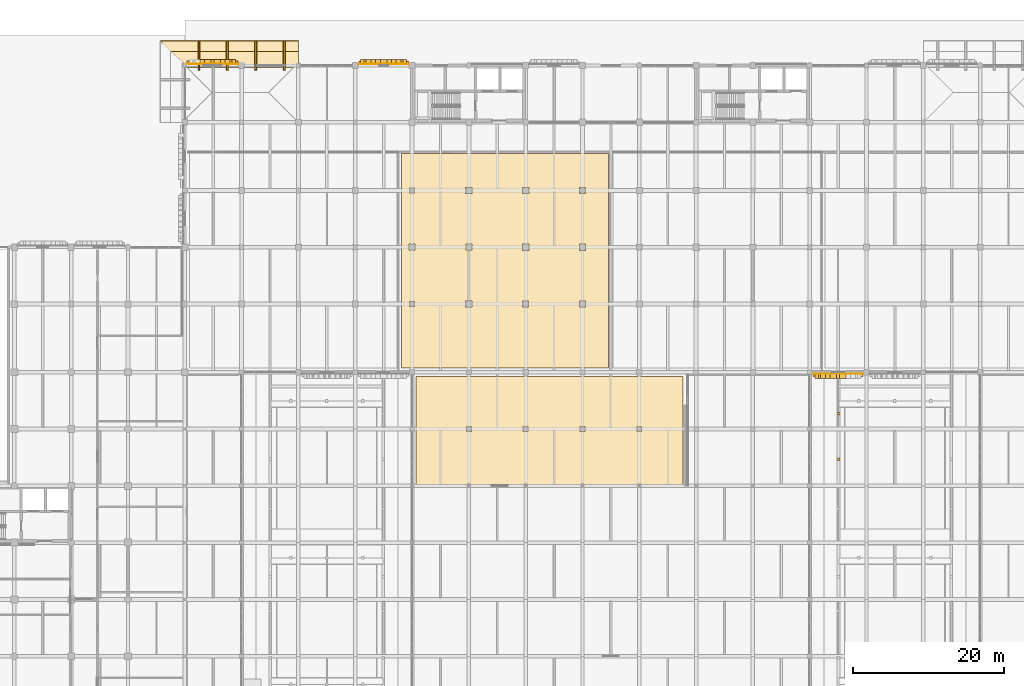
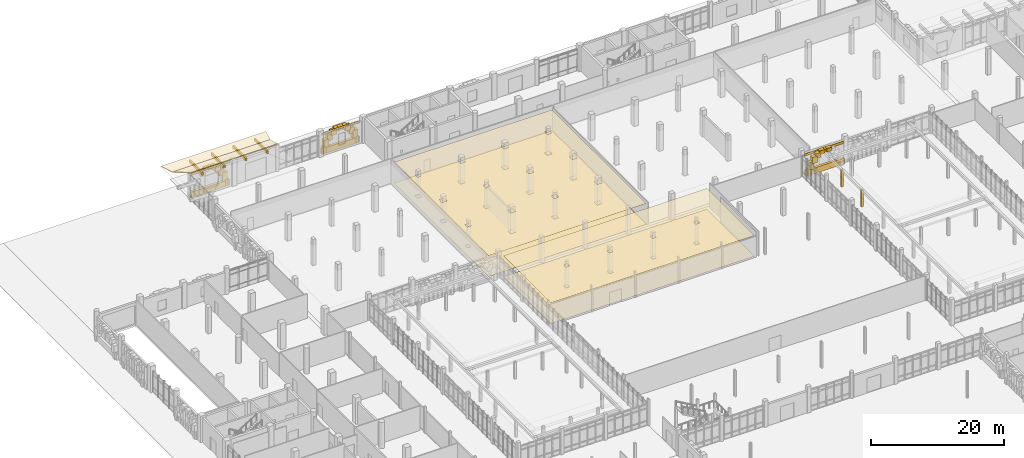
# One storey, part 113 of 125: 44 coverings.
"""IFC4 building model written with IfcOpenShell, lengths in metres."""

from ifc_helpers import new_model, si_unit, direction, frame, origin, origin_2d, place, context, subcontext, project, spatial, polyline, rectangle, outline, extrude, material, layer, layer_set, type_object, element, save


model = new_model("IFC4")

# Units and contexts
model_context = context("Model", 3, precision=1e-05, world=origin(), true_north=direction((0.0, 1.0)))
body_context = subcontext(model_context, "Body", "Model", "MODEL_VIEW")
ifc_project = project(units=[si_unit("LENGTHUNIT", "METRE"), si_unit("AREAUNIT", "SQUARE_METRE"), si_unit("VOLUMEUNIT", "CUBIC_METRE"), si_unit("PLANEANGLEUNIT", "RADIAN"), si_unit("MASSUNIT", "GRAM", prefix="KILO")], contexts=[model_context])

# Site, building, storey
site_placement = place(None, origin())
site = spatial("IfcSite", under=ifc_project, at=site_placement, CompositionType="ELEMENT")
building_placement = place(site_placement, origin())
building = spatial("IfcBuilding", under=site, at=building_placement, Name="Dalvernix Boulevard General Hospital", CompositionType="ELEMENT")
storey_placement = place(building_placement, origin())
storey = spatial("IfcBuildingStorey", under=building, at=storey_placement, Name="L00", CompositionType="ELEMENT", Elevation=0.0)

# Coverings
ifc_material_1 = material(Name="Pressed Catalan clay brick and dressed limestone parabolic archivolt", Category="masonry")
ifc_layer_1 = layer(ifc_material_1, 0.419921875)
ifc_layer_set_1 = layer_set([ifc_layer_1], Name="Pressed Catalan clay brick and dressed limestone parabolic archivolt (COV-ARC-01)")
covering_type_1 = type_object("IfcCoveringType", Name="COV-ARC-01", PredefinedType="CLADDING", material=ifc_layer_set_1)
covering_1_placement = place(storey_placement, frame((36.46240234375, 117.485107421875, 0.0), z_axis=(0.0, 0.0, 1.0), x_axis=(1.0, 0.0, 0.0)))
element("IfcCovering", 1, at=covering_1_placement, inside=storey, type_object=covering_type_1, Name="L00 Catalan parabolic arch impost pier N 4-15-R", PredefinedType="CLADDING", context=body_context, shape_type="SweptSolid", body=[
    extrude(rectangle(XDim=0.4599609375, YDim=0.659912109375, at=origin_2d()), origin(), (0.0, 0.0, 1.0), 1.25),
])
covering_2_placement = place(storey_placement, frame((32.418212890625, 117.485107421875, 3.22412109375), z_axis=(0.0, 0.0, 1.0), x_axis=(1.0, 0.0, 0.0)))
element("IfcCovering", 2, at=covering_2_placement, inside=storey, type_object=covering_type_1, Name="L00 Catalan parabolic archivolt voussoir N 4-15-3", PredefinedType="CLADDING", context=body_context, shape_type="SweptSolid", body=[
    extrude(rectangle(XDim=0.8623046875, YDim=0.659912109375, at=origin_2d()), origin(), (0.0, 0.0, 1.0), 0.998291015625),
])
covering_3_placement = place(storey_placement, frame((33.040283203125, 117.485107421875, 3.84228515625), z_axis=(0.0, 0.0, 1.0), x_axis=(1.0, 0.0, 0.0)))
element("IfcCovering", 3, at=covering_3_placement, inside=storey, type_object=covering_type_1, Name="L00 Catalan parabolic archivolt voussoir N 4-15-4", PredefinedType="CLADDING", context=body_context, shape_type="SweptSolid", body=[
    extrude(rectangle(XDim=0.8623046875, YDim=0.659912109375, at=origin_2d()), origin(), (0.0, 0.0, 1.0), 0.689208984375),
])
covering_4_placement = place(storey_placement, frame((33.66259765625, 117.485107421875, 4.1513671875), z_axis=(0.0, 0.0, 1.0), x_axis=(1.0, 0.0, 0.0)))
element("IfcCovering", 4, at=covering_4_placement, inside=storey, type_object=covering_type_1, Name="L00 Catalan parabolic archivolt voussoir N 4-15-5", PredefinedType="CLADDING", context=body_context, shape_type="SweptSolid", body=[
    extrude(rectangle(XDim=0.8623046875, YDim=0.659912109375, at=origin_2d()), origin(), (0.0, 0.0, 1.0), 0.3798828125),
])
covering_5_placement = place(storey_placement, frame((34.28466796875, 117.485107421875, 3.84228515625), z_axis=(0.0, 0.0, 1.0), x_axis=(1.0, 0.0, 0.0)))
element("IfcCovering", 5, at=covering_5_placement, inside=storey, type_object=covering_type_1, Name="L00 Catalan parabolic archivolt voussoir N 4-15-6", PredefinedType="CLADDING", context=body_context, shape_type="SweptSolid", body=[
    extrude(rectangle(XDim=0.8623046875, YDim=0.659912109375, at=origin_2d()), origin(), (0.0, 0.0, 1.0), 0.689208984375),
])
covering_6_placement = place(storey_placement, frame((34.906982421875, 117.485107421875, 3.22412109375), z_axis=(0.0, 0.0, 1.0), x_axis=(1.0, 0.0, 0.0)))
element("IfcCovering", 6, at=covering_6_placement, inside=storey, type_object=covering_type_1, Name="L00 Catalan parabolic archivolt voussoir N 4-15-7", PredefinedType="CLADDING", context=body_context, shape_type="SweptSolid", body=[
    extrude(rectangle(XDim=0.8623046875, YDim=0.659912109375, at=origin_2d()), origin(), (0.0, 0.0, 1.0), 0.998291015625),
])
covering_7_placement = place(storey_placement, frame((35.529296875, 117.485107421875, 2.29638671875), z_axis=(0.0, 0.0, 1.0), x_axis=(1.0, 0.0, 0.0)))
element("IfcCovering", 7, at=covering_7_placement, inside=storey, type_object=covering_type_1, Name="L00 Catalan parabolic archivolt voussoir N 4-15-8", PredefinedType="CLADDING", context=body_context, shape_type="SweptSolid", body=[
    extrude(rectangle(XDim=0.8623046875, YDim=0.659912109375, at=origin_2d()), origin(), (0.0, 0.0, 1.0), 1.307373046875),
])
covering_8_placement = place(storey_placement, frame((36.1513671875, 117.485107421875, 1.06005859375), z_axis=(0.0, 0.0, 1.0), x_axis=(1.0, 0.0, 0.0)))
element("IfcCovering", 8, at=covering_8_placement, inside=storey, type_object=covering_type_1, Name="L00 Catalan parabolic archivolt voussoir N 4-15-9", PredefinedType="CLADDING", context=body_context, shape_type="SweptSolid", body=[
    extrude(rectangle(XDim=0.8623046875, YDim=0.659912109375, at=origin_2d()), origin(), (0.0, 0.0, 1.0), 1.616455078125),
])
for number, where, z_axis, x_axis, name in (
    (9, (53.4375, 117.485107421875, 0.0), (0.0, 0.0, 1.0), (1.0, 0.0, 0.0), "L00 Catalan parabolic arch impost pier N 7-15-L"),
    (10, (59.03759765625, 117.485107421875, 0.0), (0.0, 0.0, 1.0), (1.0, 0.0, 0.0), "L00 Catalan parabolic arch impost pier N 7-15-R"),
):
    element("IfcCovering", number, at=place(storey_placement, frame(where, z_axis=z_axis, x_axis=x_axis)), inside=storey, type_object=covering_type_1, Name=name, PredefinedType="CLADDING", context=body_context, shape_type="SweptSolid", body=[
        extrude(rectangle(XDim=0.4599609375, YDim=0.659912109375, at=origin_2d()), origin(), (0.0, 0.0, 1.0), 1.25),
    ])
covering_9_placement = place(storey_placement, frame((53.74853515625, 117.485107421875, 1.059814453125), z_axis=(0.0, 0.0, 1.0), x_axis=(1.0, 0.0, 0.0)))
element("IfcCovering", 11, at=covering_9_placement, inside=storey, type_object=covering_type_1, Name="L00 Catalan parabolic archivolt voussoir N 7-15-1", PredefinedType="CLADDING", context=body_context, shape_type="SweptSolid", body=[
    extrude(rectangle(XDim=0.8623046875, YDim=0.659912109375, at=origin_2d()), origin(), (0.0, 0.0, 1.0), 1.3994140625),
])
covering_10_placement = place(storey_placement, frame((54.370849609375, 117.485107421875, 2.07958984375), z_axis=(0.0, 0.0, 1.0), x_axis=(1.0, 0.0, 0.0)))
element("IfcCovering", 12, at=covering_10_placement, inside=storey, type_object=covering_type_1, Name="L00 Catalan parabolic archivolt voussoir N 7-15-2", PredefinedType="CLADDING", context=body_context, shape_type="SweptSolid", body=[
    extrude(rectangle(XDim=0.8623046875, YDim=0.659912109375, at=origin_2d()), origin(), (0.0, 0.0, 1.0), 1.144287109375),
])
covering_11_placement = place(storey_placement, frame((54.9931640625, 117.485107421875, 2.84375), z_axis=(0.0, 0.0, 1.0), x_axis=(1.0, 0.0, 0.0)))
element("IfcCovering", 13, at=covering_11_placement, inside=storey, type_object=covering_type_1, Name="L00 Catalan parabolic archivolt voussoir N 7-15-3", PredefinedType="CLADDING", context=body_context, shape_type="SweptSolid", body=[
    extrude(rectangle(XDim=0.8623046875, YDim=0.659912109375, at=origin_2d()), origin(), (0.0, 0.0, 1.0), 0.8896484375),
])
covering_12_placement = place(storey_placement, frame((55.615234375, 117.485107421875, 3.353271484375), z_axis=(0.0, 0.0, 1.0), x_axis=(1.0, 0.0, 0.0)))
element("IfcCovering", 14, at=covering_12_placement, inside=storey, type_object=covering_type_1, Name="L00 Catalan parabolic archivolt voussoir N 7-15-4", PredefinedType="CLADDING", context=body_context, shape_type="SweptSolid", body=[
    extrude(rectangle(XDim=0.8623046875, YDim=0.659912109375, at=origin_2d()), origin(), (0.0, 0.0, 1.0), 0.634765625),
])
covering_13_placement = place(storey_placement, frame((56.237548828125, 117.485107421875, 3.608154296875), z_axis=(0.0, 0.0, 1.0), x_axis=(1.0, 0.0, 0.0)))
element("IfcCovering", 15, at=covering_13_placement, inside=storey, type_object=covering_type_1, Name="L00 Catalan parabolic archivolt voussoir N 7-15-5", PredefinedType="CLADDING", context=body_context, shape_type="SweptSolid", body=[
    extrude(rectangle(XDim=0.8623046875, YDim=0.659912109375, at=origin_2d()), origin(), (0.0, 0.0, 1.0), 0.3798828125),
])
covering_14_placement = place(storey_placement, frame((56.859619140625, 117.485107421875, 3.353271484375), z_axis=(0.0, 0.0, 1.0), x_axis=(1.0, 0.0, 0.0)))
element("IfcCovering", 16, at=covering_14_placement, inside=storey, type_object=covering_type_1, Name="L00 Catalan parabolic archivolt voussoir N 7-15-6", PredefinedType="CLADDING", context=body_context, shape_type="SweptSolid", body=[
    extrude(rectangle(XDim=0.8623046875, YDim=0.659912109375, at=origin_2d()), origin(), (0.0, 0.0, 1.0), 0.634765625),
])
covering_15_placement = place(storey_placement, frame((57.48193359375, 117.485107421875, 2.84375), z_axis=(0.0, 0.0, 1.0), x_axis=(1.0, 0.0, 0.0)))
element("IfcCovering", 17, at=covering_15_placement, inside=storey, type_object=covering_type_1, Name="L00 Catalan parabolic archivolt voussoir N 7-15-7", PredefinedType="CLADDING", context=body_context, shape_type="SweptSolid", body=[
    extrude(rectangle(XDim=0.8623046875, YDim=0.659912109375, at=origin_2d()), origin(), (0.0, 0.0, 1.0), 0.8896484375),
])
covering_16_placement = place(storey_placement, frame((58.104248046875, 117.485107421875, 2.07958984375), z_axis=(0.0, 0.0, 1.0), x_axis=(1.0, 0.0, 0.0)))
element("IfcCovering", 18, at=covering_16_placement, inside=storey, type_object=covering_type_1, Name="L00 Catalan parabolic archivolt voussoir N 7-15-8", PredefinedType="CLADDING", context=body_context, shape_type="SweptSolid", body=[
    extrude(rectangle(XDim=0.8623046875, YDim=0.659912109375, at=origin_2d()), origin(), (0.0, 0.0, 1.0), 1.144287109375),
])
covering_17_placement = place(storey_placement, frame((58.726318359375, 117.485107421875, 1.059814453125), z_axis=(0.0, 0.0, 1.0), x_axis=(1.0, 0.0, 0.0)))
element("IfcCovering", 19, at=covering_17_placement, inside=storey, type_object=covering_type_1, Name="L00 Catalan parabolic archivolt voussoir N 7-15-9", PredefinedType="CLADDING", context=body_context, shape_type="SweptSolid", body=[
    extrude(rectangle(XDim=0.8623046875, YDim=0.659912109375, at=origin_2d()), origin(), (0.0, 0.0, 1.0), 1.3994140625),
])
covering_18_placement = place(storey_placement, frame((113.4375, 76.014892578125, 0.0), z_axis=(0.0, 0.0, 1.0), x_axis=(-1.0, 0.0, 0.0)))
element("IfcCovering", 20, at=covering_18_placement, inside=storey, type_object=covering_type_1, Name="L00 Catalan parabolic arch impost pier S 15-10-R", PredefinedType="CLADDING", context=body_context, shape_type="SweptSolid", body=[
    extrude(rectangle(XDim=0.4599609375, YDim=0.659912109375, at=origin_2d()), origin(), (0.0, 0.0, 1.0), 1.25),
])
covering_19_placement = place(storey_placement, frame((116.859619140625, 76.014892578125, 3.353271484375), z_axis=(0.0, 0.0, 1.0), x_axis=(-1.0, 0.0, 0.0)))
element("IfcCovering", 21, at=covering_19_placement, inside=storey, type_object=covering_type_1, Name="L00 Catalan parabolic archivolt voussoir S 15-10-4", PredefinedType="CLADDING", context=body_context, shape_type="SweptSolid", body=[
    extrude(rectangle(XDim=0.8623046875, YDim=0.659912109375, at=origin_2d()), origin(), (0.0, 0.0, 1.0), 0.634765625),
])
covering_20_placement = place(storey_placement, frame((116.237548828125, 76.014892578125, 3.608154296875), z_axis=(0.0, 0.0, 1.0), x_axis=(-1.0, 0.0, 0.0)))
element("IfcCovering", 22, at=covering_20_placement, inside=storey, type_object=covering_type_1, Name="L00 Catalan parabolic archivolt voussoir S 15-10-5", PredefinedType="CLADDING", context=body_context, shape_type="SweptSolid", body=[
    extrude(rectangle(XDim=0.8623046875, YDim=0.659912109375, at=origin_2d()), origin(), (0.0, 0.0, 1.0), 0.3798828125),
])
covering_21_placement = place(storey_placement, frame((115.615234375, 76.014892578125, 3.353271484375), z_axis=(0.0, 0.0, 1.0), x_axis=(-1.0, 0.0, 0.0)))
element("IfcCovering", 23, at=covering_21_placement, inside=storey, type_object=covering_type_1, Name="L00 Catalan parabolic archivolt voussoir S 15-10-6", PredefinedType="CLADDING", context=body_context, shape_type="SweptSolid", body=[
    extrude(rectangle(XDim=0.8623046875, YDim=0.659912109375, at=origin_2d()), origin(), (0.0, 0.0, 1.0), 0.634765625),
])
covering_22_placement = place(storey_placement, frame((114.9931640625, 76.014892578125, 2.84375), z_axis=(0.0, 0.0, 1.0), x_axis=(-1.0, 0.0, 0.0)))
element("IfcCovering", 24, at=covering_22_placement, inside=storey, type_object=covering_type_1, Name="L00 Catalan parabolic archivolt voussoir S 15-10-7", PredefinedType="CLADDING", context=body_context, shape_type="SweptSolid", body=[
    extrude(rectangle(XDim=0.8623046875, YDim=0.659912109375, at=origin_2d()), origin(), (0.0, 0.0, 1.0), 0.8896484375),
])
covering_23_placement = place(storey_placement, frame((114.370849609375, 76.014892578125, 2.07958984375), z_axis=(0.0, 0.0, 1.0), x_axis=(-1.0, 0.0, 0.0)))
element("IfcCovering", 25, at=covering_23_placement, inside=storey, type_object=covering_type_1, Name="L00 Catalan parabolic archivolt voussoir S 15-10-8", PredefinedType="CLADDING", context=body_context, shape_type="SweptSolid", body=[
    extrude(rectangle(XDim=0.8623046875, YDim=0.659912109375, at=origin_2d()), origin(), (0.0, 0.0, 1.0), 1.144287109375),
])
covering_24_placement = place(storey_placement, frame((113.74853515625, 76.014892578125, 1.059814453125), z_axis=(0.0, 0.0, 1.0), x_axis=(-1.0, 0.0, 0.0)))
element("IfcCovering", 26, at=covering_24_placement, inside=storey, type_object=covering_type_1, Name="L00 Catalan parabolic archivolt voussoir S 15-10-9", PredefinedType="CLADDING", context=body_context, shape_type="SweptSolid", body=[
    extrude(rectangle(XDim=0.8623046875, YDim=0.659912109375, at=origin_2d()), origin(), (0.0, 0.0, 1.0), 1.3994140625),
])
ifc_material_2 = material(Name="Antimicrobial acoustic mineral-fibre suspended ceiling")
ifc_layer_2 = layer(ifc_material_2, 0.02490234375)
ifc_layer_set_2 = layer_set([ifc_layer_2], Name="Antimicrobial acoustic mineral-fibre suspended ceiling (COV-CEIL-01)")
covering_type_2 = type_object("IfcCoveringType", Name="COV-CEIL-01", PredefinedType="CEILING", material=ifc_layer_set_2)
covering_25_placement = place(storey_placement, frame((0.0, 0.0, 3.794921875)))
element("IfcCovering", 27, at=covering_25_placement, inside=storey, type_object=covering_type_2, Name="L00 Hospital Dining Hall and Visitor Cafeteria hygienic suspended ceiling", PredefinedType="CEILING", context=body_context, shape_type="SweptSolid", body=[
    extrude(outline(polyline([(95.800048828125, 61.699951171875), (90.219970703125, 61.699951171875), (90.219970703125, 61.719970703125), (89.780029296875, 61.719970703125), (89.780029296875, 61.699951171875), (82.719970703125, 61.699951171875), (82.719970703125, 61.719970703125), (82.280029296875, 61.719970703125), (82.280029296875, 61.699951171875), (75.219970703125, 61.699951171875), (75.219970703125, 61.719970703125), (74.780029296875, 61.719970703125), (74.780029296875, 61.699951171875), (67.719970703125, 61.699951171875), (67.719970703125, 61.719970703125), (67.280029296875, 61.719970703125), (67.280029296875, 61.699951171875), (60.550048828125, 61.699951171875), (60.550048828125, 75.949951171875), (95.800048828125, 75.949951171875), (95.800048828125, 61.699951171875)]), holes=[polyline([(67.179931640625, 68.679931640625), (67.820068359375, 68.679931640625), (67.820068359375, 69.320068359375), (67.179931640625, 69.320068359375), (67.179931640625, 68.679931640625)]), polyline([(75.320068359375, 69.320068359375), (74.679931640625, 69.320068359375), (74.679931640625, 68.679931640625), (75.320068359375, 68.679931640625), (75.320068359375, 69.320068359375)]), polyline([(82.179931640625, 68.679931640625), (82.820068359375, 68.679931640625), (82.820068359375, 69.320068359375), (82.179931640625, 69.320068359375), (82.179931640625, 68.679931640625)]), polyline([(90.320068359375, 69.320068359375), (89.679931640625, 69.320068359375), (89.679931640625, 68.679931640625), (90.320068359375, 68.679931640625), (90.320068359375, 69.320068359375)])]), origin(), (0.0, 0.0, 1.0), 0.025146484375),
])
covering_26_placement = place(storey_placement, frame((0.0, 0.0, 3.794921875)))
element("IfcCovering", 28, at=covering_26_placement, inside=storey, type_object=covering_type_2, Name="L00 Hospital Central Stores and Logistics Hall 02 hygienic suspended ceiling", PredefinedType="CEILING", context=body_context, shape_type="SweptSolid", body=[
    extrude(outline(polyline([(85.949951171875, 77.050048828125), (58.60009765625, 77.050048828125), (58.60009765625, 105.35009765625), (85.949951171875, 105.35009765625), (85.949951171875, 77.050048828125)]), holes=[polyline([(60.344970703125, 85.155029296875), (60.344970703125, 85.844970703125), (59.655029296875, 85.844970703125), (59.655029296875, 85.155029296875), (60.344970703125, 85.155029296875)]), polyline([(59.60498046875, 92.60498046875), (60.39501953125, 92.60498046875), (60.39501953125, 93.39501953125), (59.60498046875, 93.39501953125), (59.60498046875, 92.60498046875)]), polyline([(59.655029296875, 100.844970703125), (59.655029296875, 100.155029296875), (60.344970703125, 100.155029296875), (60.344970703125, 100.844970703125), (59.655029296875, 100.844970703125)]), polyline([(67.919921875, 85.919921875), (67.080078125, 85.919921875), (67.080078125, 85.080078125), (67.919921875, 85.080078125), (67.919921875, 85.919921875)]), polyline([(67.89501953125, 92.60498046875), (67.89501953125, 93.39501953125), (67.10498046875, 93.39501953125), (67.10498046875, 92.60498046875), (67.89501953125, 92.60498046875)]), polyline([(67.080078125, 100.080078125), (67.919921875, 100.080078125), (67.919921875, 100.919921875), (67.080078125, 100.919921875), (67.080078125, 100.080078125)]), polyline([(74.60498046875, 85.89501953125), (74.60498046875, 85.10498046875), (75.39501953125, 85.10498046875), (75.39501953125, 85.89501953125), (74.60498046875, 85.89501953125)]), polyline([(75.419921875, 93.419921875), (74.580078125, 93.419921875), (74.580078125, 92.580078125), (75.419921875, 92.580078125), (75.419921875, 93.419921875)]), polyline([(75.419921875, 100.080078125), (75.419921875, 100.919921875), (74.580078125, 100.919921875), (74.580078125, 100.080078125), (75.419921875, 100.080078125)]), polyline([(82.080078125, 85.080078125), (82.919921875, 85.080078125), (82.919921875, 85.919921875), (82.080078125, 85.919921875), (82.080078125, 85.080078125)]), polyline([(82.080078125, 93.419921875), (82.080078125, 92.580078125), (82.919921875, 92.580078125), (82.919921875, 93.419921875), (82.080078125, 93.419921875)]), polyline([(82.89501953125, 100.89501953125), (82.10498046875, 100.89501953125), (82.10498046875, 100.10498046875), (82.89501953125, 100.10498046875), (82.89501953125, 100.89501953125)])]), origin(), (0.0, 0.0, 1.0), 0.025146484375),
])
ifc_material_3 = material(Name="Polychrome Catalan glazed ceramic spandrel tile panel")
ifc_layer_3 = layer(ifc_material_3, 0.044921875)
ifc_layer_set_3 = layer_set([ifc_layer_3], Name="Polychrome Catalan glazed ceramic spandrel tile panel (COV-CLD-01)")
covering_type_3 = type_object("IfcCoveringType", Name="COV-CLD-01", PredefinedType="CLADDING", material=ifc_layer_set_3)
covering_27_placement = place(storey_placement, frame((33.66259765625, 117.195068359375, 4.02490234375), z_axis=(0.0, 0.0, 1.0), x_axis=(1.0, 0.0, 0.0)))
element("IfcCovering", 29, at=covering_27_placement, inside=storey, type_object=covering_type_3, Name="L00 polychrome ceramic spandrel N 4-15", PredefinedType="CLADDING", context=body_context, shape_type="SweptSolid", body=[
    extrude(rectangle(XDim=6.7548828125, YDim=0.044921875, at=origin_2d()), origin(), (0.0, 0.0, 1.0), 0.449951171875),
])
covering_28_placement = place(storey_placement, frame((56.237548828125, 117.195068359375, 3.47509765625), z_axis=(0.0, 0.0, 1.0), x_axis=(1.0, 0.0, 0.0)))
element("IfcCovering", 30, at=covering_28_placement, inside=storey, type_object=covering_type_3, Name="L00 polychrome ceramic spandrel N 7-15", PredefinedType="CLADDING", context=body_context, shape_type="SweptSolid", body=[
    extrude(rectangle(XDim=6.60498046875, YDim=0.044921875, at=origin_2d()), origin(), (0.0, 0.0, 1.0), 0.449951171875),
])
covering_29_placement = place(storey_placement, frame((116.237548828125, 76.304931640625, 3.47509765625), z_axis=(0.0, 0.0, 1.0), x_axis=(-1.0, 0.0, 0.0)))
element("IfcCovering", 31, at=covering_29_placement, inside=storey, type_object=covering_type_3, Name="L00 polychrome ceramic spandrel S 15-10", PredefinedType="CLADDING", context=body_context, shape_type="SweptSolid", body=[
    extrude(rectangle(XDim=6.705078125, YDim=0.044921875, at=origin_2d()), origin(), (0.0, 0.0, 1.0), 0.449951171875),
])
ifc_material_4 = material(Name="Dressed ochre limestone classical plinth, stringcourse and corbelled cornice", Category="masonry")
ifc_layer_4 = layer(ifc_material_4, 0.449951171875)
ifc_layer_set_4 = layer_set([ifc_layer_4], Name="Dressed ochre limestone classical plinth, stringcourse and corbelled cornice (COV-CRN-01)")
covering_type_4 = type_object("IfcCoveringType", Name="COV-CRN-01", PredefinedType="CLADDING", material=ifc_layer_set_4)
covering_30_placement = place(storey_placement, frame((33.66259765625, 117.375, 0.0), z_axis=(0.0, 0.0, 1.0), x_axis=(1.0, 0.0, 0.0)))
element("IfcCovering", 32, at=covering_30_placement, inside=storey, type_object=covering_type_4, Name="L00 rusticated limestone classical plinth N 4-15", PredefinedType="CLADDING", context=body_context, shape_type="SweptSolid", body=[
    extrude(rectangle(XDim=6.695068359375, YDim=0.43994140625, at=origin_2d()), origin(), (0.0, 0.0, 1.0), 1.0400390625),
])
covering_31_placement = place(storey_placement, frame((56.237548828125, 117.375, 0.0), z_axis=(0.0, 0.0, 1.0), x_axis=(1.0, 0.0, 0.0)))
element("IfcCovering", 33, at=covering_31_placement, inside=storey, type_object=covering_type_4, Name="L00 rusticated limestone classical plinth N 7-15", PredefinedType="CLADDING", context=body_context, shape_type="SweptSolid", body=[
    extrude(rectangle(XDim=6.544921875, YDim=0.43994140625, at=origin_2d()), origin(), (0.0, 0.0, 1.0), 1.0400390625),
])
covering_32_placement = place(storey_placement, frame((116.237548828125, 76.125, 0.0), z_axis=(0.0, 0.0, 1.0), x_axis=(-1.0, 0.0, 0.0)))
element("IfcCovering", 34, at=covering_32_placement, inside=storey, type_object=covering_type_4, Name="L00 rusticated limestone classical plinth S 15-10", PredefinedType="CLADDING", context=body_context, shape_type="SweptSolid", body=[
    extrude(rectangle(XDim=6.64501953125, YDim=0.43994140625, at=origin_2d()), origin(), (0.0, 0.0, 1.0), 1.0400390625),
])
ifc_material_5 = material(Name="Glazed Catalan terracotta and iroko timber overhanging upturned eave", Category="masonry")
ifc_layer_5 = layer(ifc_material_5, 0.139892578125)
ifc_layer_set_5 = layer_set([ifc_layer_5], Name="Glazed Catalan terracotta and iroko timber overhanging upturned eave (COV-EAVE-01)")
covering_type_5 = type_object("IfcCoveringType", Name="COV-EAVE-01", PredefinedType="CLADDING", material=ifc_layer_set_5)
covering_33_placement = place(storey_placement, frame((45.0, 116.75, 5.006103515625), z_axis=(0.0, 0.230038471981, 0.97318153569), x_axis=(-1.0, 0.0, 0.0)))
element("IfcCovering", 35, at=covering_33_placement, inside=storey, type_object=covering_type_5, Name="V3-L00NW overhanging ceramic eave skirt N", PredefinedType="CLADDING", context=body_context, shape_type="SweptSolid", body=[
    extrude(outline(polyline([(0.0, 0.0), (15.0, 0.0), (16.949951171875, -2.2605763582581444), (0.0, -2.2605763582581444), (0.0, 0.0)])), origin(), (0.0, 0.0, -1.0), 0.139892578125),
])
covering_34_placement = place(storey_placement, frame((45.0, 118.8701171875, 4.486083984375), z_axis=(0.0, -0.476101106464, 0.879390548291), x_axis=(-1.0, 0.0, 0.0)))
element("IfcCovering", 36, at=covering_34_placement, inside=storey, type_object=covering_type_5, Name="V3-L00NW upturned ceramic eave wing N", PredefinedType="CLADDING", context=body_context, shape_type="SweptSolid", body=[
    extrude(outline(polyline([(0.0, 0.0), (16.949951171875, 0.0), (18.199951171875, -1.5122222850351714), (0.0, -1.5122222850351714), (0.0, 0.0)])), origin(), (0.0, 0.0, -1.0), 0.139892578125),
])
ifc_material_6 = material(Name="Seamless welded medical vinyl and polished terrazzo flooring")
ifc_layer_6 = layer(ifc_material_6, 0.014892578125)
ifc_layer_set_6 = layer_set([ifc_layer_6], Name="Seamless welded medical vinyl and polished terrazzo flooring (COV-FLR-01)")
covering_type_6 = type_object("IfcCoveringType", Name="COV-FLR-01", PredefinedType="FLOORING", material=ifc_layer_set_6)
covering_35_placement = place(storey_placement, origin())
element("IfcCovering", 37, at=covering_35_placement, inside=storey, type_object=covering_type_6, Name="L00 Hospital Dining Hall and Visitor Cafeteria seamless clinical flooring", PredefinedType="FLOORING", context=body_context, shape_type="SweptSolid", body=[
    extrude(outline(polyline([(95.800048828125, 61.699951171875), (90.219970703125, 61.699951171875), (90.219970703125, 61.719970703125), (89.780029296875, 61.719970703125), (89.780029296875, 61.699951171875), (82.719970703125, 61.699951171875), (82.719970703125, 61.719970703125), (82.280029296875, 61.719970703125), (82.280029296875, 61.699951171875), (75.219970703125, 61.699951171875), (75.219970703125, 61.719970703125), (74.780029296875, 61.719970703125), (74.780029296875, 61.699951171875), (67.719970703125, 61.699951171875), (67.719970703125, 61.719970703125), (67.280029296875, 61.719970703125), (67.280029296875, 61.699951171875), (60.550048828125, 61.699951171875), (60.550048828125, 75.949951171875), (95.800048828125, 75.949951171875), (95.800048828125, 61.699951171875)]), holes=[polyline([(67.179931640625, 68.679931640625), (67.820068359375, 68.679931640625), (67.820068359375, 69.320068359375), (67.179931640625, 69.320068359375), (67.179931640625, 68.679931640625)]), polyline([(75.320068359375, 69.320068359375), (74.679931640625, 69.320068359375), (74.679931640625, 68.679931640625), (75.320068359375, 68.679931640625), (75.320068359375, 69.320068359375)]), polyline([(82.179931640625, 68.679931640625), (82.820068359375, 68.679931640625), (82.820068359375, 69.320068359375), (82.179931640625, 69.320068359375), (82.179931640625, 68.679931640625)]), polyline([(90.320068359375, 69.320068359375), (89.679931640625, 69.320068359375), (89.679931640625, 68.679931640625), (90.320068359375, 68.679931640625), (90.320068359375, 69.320068359375)])]), origin(), (0.0, 0.0, 1.0), 0.014892578125),
])
covering_36_placement = place(storey_placement, origin())
element("IfcCovering", 38, at=covering_36_placement, inside=storey, type_object=covering_type_6, Name="L00 Hospital Central Stores and Logistics Hall 02 seamless clinical flooring", PredefinedType="FLOORING", context=body_context, shape_type="SweptSolid", body=[
    extrude(outline(polyline([(85.949951171875, 77.050048828125), (58.60009765625, 77.050048828125), (58.60009765625, 105.35009765625), (85.949951171875, 105.35009765625), (85.949951171875, 77.050048828125)]), holes=[polyline([(60.344970703125, 85.155029296875), (60.344970703125, 85.844970703125), (59.655029296875, 85.844970703125), (59.655029296875, 85.155029296875), (60.344970703125, 85.155029296875)]), polyline([(59.60498046875, 92.60498046875), (60.39501953125, 92.60498046875), (60.39501953125, 93.39501953125), (59.60498046875, 93.39501953125), (59.60498046875, 92.60498046875)]), polyline([(59.655029296875, 100.844970703125), (59.655029296875, 100.155029296875), (60.344970703125, 100.155029296875), (60.344970703125, 100.844970703125), (59.655029296875, 100.844970703125)]), polyline([(67.919921875, 85.919921875), (67.080078125, 85.919921875), (67.080078125, 85.080078125), (67.919921875, 85.080078125), (67.919921875, 85.919921875)]), polyline([(67.89501953125, 92.60498046875), (67.89501953125, 93.39501953125), (67.10498046875, 93.39501953125), (67.10498046875, 92.60498046875), (67.89501953125, 92.60498046875)]), polyline([(67.080078125, 100.080078125), (67.919921875, 100.080078125), (67.919921875, 100.919921875), (67.080078125, 100.919921875), (67.080078125, 100.080078125)]), polyline([(74.60498046875, 85.89501953125), (74.60498046875, 85.10498046875), (75.39501953125, 85.10498046875), (75.39501953125, 85.89501953125), (74.60498046875, 85.89501953125)]), polyline([(75.419921875, 93.419921875), (74.580078125, 93.419921875), (74.580078125, 92.580078125), (75.419921875, 92.580078125), (75.419921875, 93.419921875)]), polyline([(75.419921875, 100.080078125), (75.419921875, 100.919921875), (74.580078125, 100.919921875), (74.580078125, 100.080078125), (75.419921875, 100.080078125)]), polyline([(82.080078125, 85.080078125), (82.919921875, 85.080078125), (82.919921875, 85.919921875), (82.080078125, 85.919921875), (82.080078125, 85.080078125)]), polyline([(82.080078125, 93.419921875), (82.080078125, 92.580078125), (82.919921875, 92.580078125), (82.919921875, 93.419921875), (82.080078125, 93.419921875)]), polyline([(82.89501953125, 100.89501953125), (82.10498046875, 100.89501953125), (82.10498046875, 100.10498046875), (82.89501953125, 100.10498046875), (82.89501953125, 100.89501953125)])]), origin(), (0.0, 0.0, 1.0), 0.014892578125),
])
ifc_material_7 = material(Name="Preservative-treated glulam GL28h eave outlooker corbel bracket", Category="wood")
ifc_layer_7 = layer(ifc_material_7, 0.239990234375)
ifc_layer_set_7 = layer_set([ifc_layer_7], Name="Preservative-treated glulam GL28h eave outlooker corbel bracket (COV-OUTLOOK-01)")
covering_type_7 = type_object("IfcCoveringType", Name="COV-OUTLOOK-01", PredefinedType="CLADDING", material=ifc_layer_set_7)
for number, where, z_axis, x_axis, name in (
    (39, (31.875, 118.300048828125, 4.0859375), (0.0, 0.0, 1.0), (1.0, 0.0, 0.0), "V3-L00NW glulam eave outlooker corbel N-1"),
    (40, (35.625, 118.300048828125, 4.0859375), (0.0, 0.0, 1.0), (1.0, 0.0, 0.0), "V3-L00NW glulam eave outlooker corbel N-2"),
    (41, (39.375, 118.300048828125, 4.0859375), (0.0, 0.0, 1.0), (1.0, 0.0, 0.0), "V3-L00NW glulam eave outlooker corbel N-3"),
    (42, (43.125, 118.300048828125, 4.0859375), (0.0, 0.0, 1.0), (1.0, 0.0, 0.0), "V3-L00NW glulam eave outlooker corbel N-4"),
):
    element("IfcCovering", number, at=place(storey_placement, frame(where, z_axis=z_axis, x_axis=x_axis)), inside=storey, type_object=covering_type_7, Name=name, PredefinedType="CLADDING", context=body_context, shape_type="SweptSolid", body=[
        extrude(rectangle(XDim=0.260009765625, YDim=3.89990234375, at=origin_2d()), origin(), (0.0, 0.0, 1.0), 0.52001953125),
    ])
ifc_material_8 = material(Name="Preservative-treated glulam GL28h cloister walkway post, beam and roof", Category="wood")
ifc_layer_8 = layer(ifc_material_8, 0.340087890625)
ifc_layer_set_8 = layer_set([ifc_layer_8], Name="Preservative-treated glulam GL28h cloister walkway post, beam and roof (COV-WKP-01)")
covering_type_8 = type_object("IfcCoveringType", Name="COV-WKP-01", PredefinedType="CLADDING", material=ifc_layer_set_8)
for number, where, z_axis, x_axis, name in (
    (43, (116.300048828125, 65.0, 0.0), (0.0, 0.0, 1.0), (1.0, 0.0, 0.0), "ECOURT covered timber walkway post W-5"),
    (44, (116.300048828125, 71.0, 0.0), (0.0, 0.0, 1.0), (1.0, 0.0, 0.0), "ECOURT covered timber walkway post W-6"),
):
    element("IfcCovering", number, at=place(storey_placement, frame(where, z_axis=z_axis, x_axis=x_axis)), inside=storey, type_object=covering_type_8, Name=name, PredefinedType="CLADDING", context=body_context, shape_type="SweptSolid", body=[
        extrude(rectangle(XDim=0.340087890625, YDim=0.340087890625, at=origin_2d()), origin(), (0.0, 0.0, 1.0), 3.10009765625),
    ])

save(model, "model.ifc")
